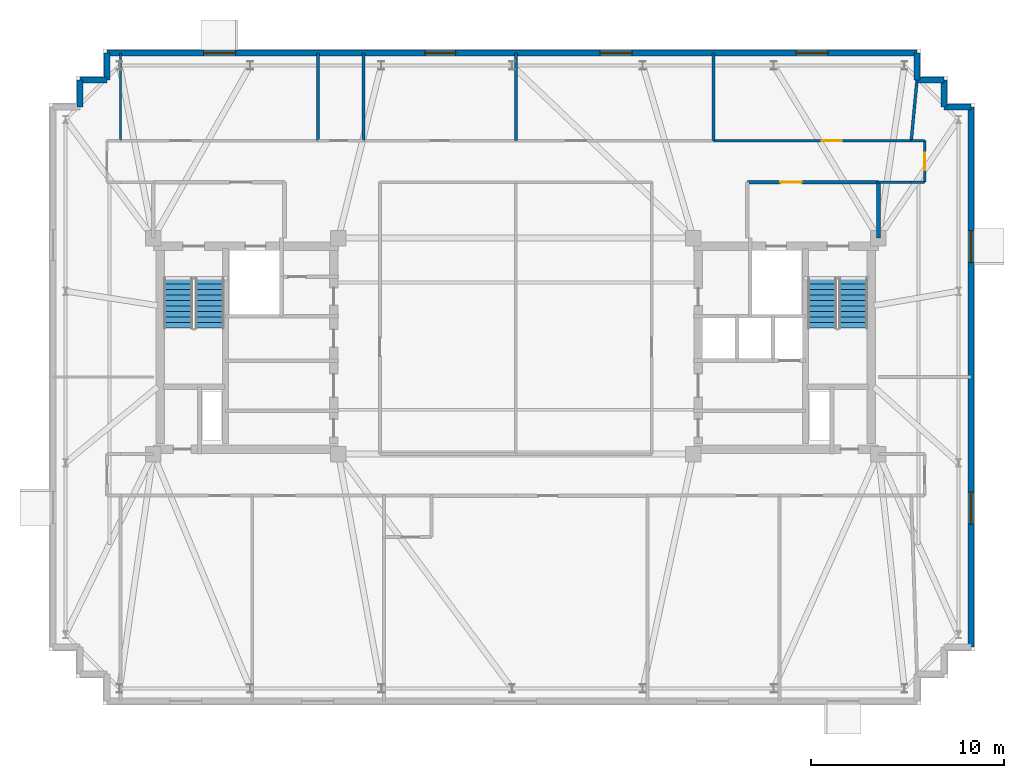
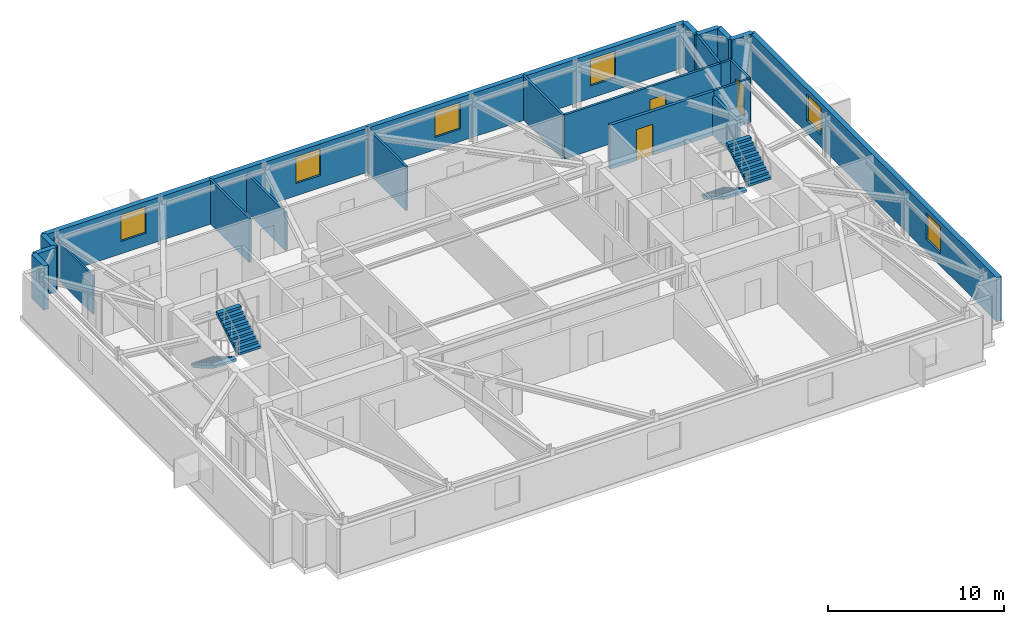
# One storey, part 8 of 10: 22 walls, 6 windows, 4 stair flights, 3 doors, 9 openings, 2 elements without a shape of their own.
"""IFC4 building model written with IfcOpenShell, lengths in metres."""

from ifc_helpers import new_model, si_unit, direction, frame, frame_2d, origin, place, context, subcontext, project, spatial, polyline, rectangle, outline, extrude, material, layer, layer_set, type_object, element, fill, aggregate, save


model = new_model("IFC4")

# Units and contexts
model_context = context("Model", 3, precision=1e-05, world=origin(), true_north=direction((0.0, 1.0)))
body_context = subcontext(model_context, "Body", "Model", "MODEL_VIEW")
ifc_project = project(units=[si_unit("LENGTHUNIT", "METRE"), si_unit("AREAUNIT", "SQUARE_METRE"), si_unit("VOLUMEUNIT", "CUBIC_METRE"), si_unit("PLANEANGLEUNIT", "RADIAN"), si_unit("MASSUNIT", "GRAM", prefix="KILO")], contexts=[model_context])

# Site, building, storey
site_placement = place(None, origin())
site = spatial("IfcSite", under=ifc_project, at=site_placement, CompositionType="ELEMENT")
building_placement = place(site_placement, origin())
building = spatial("IfcBuilding", under=site, at=building_placement, Name="Qobustan Lattice House", CompositionType="ELEMENT")
storey_placement = place(building_placement, frame((0.0, 0.0, 231.64990234375)))
storey = spatial("IfcBuildingStorey", under=building, at=storey_placement, Name="L65", CompositionType="ELEMENT", Elevation=231.64990234375)

# Walls
ifc_material_1 = material(Name="Precast concrete C40/50", Category="concrete")
ifc_layer_1 = layer(ifc_material_1, 0.320068359375)
ifc_layer_set_1 = layer_set([ifc_layer_1], Name="Precast concrete C40/50")
wall_type_1 = type_object("IfcWallType", Name="WAL-EXT-STONE-320", PredefinedType="SOLIDWALL", material=ifc_layer_set_1)
for number, where, z_axis, x_axis, name in (
    (1, (-22.60009765625, 12.39990234375, 0.0), (0.0, 0.0, 1.0), (0.0, 1.0, 0.0), "L65 exterior limestone-clad wall 7"),
    (2, (-22.60009765625, 13.800048828125, 0.0), (0.0, 0.0, 1.0), (1.0, 0.0, 0.0), "L65 exterior limestone-clad wall 8"),
):
    element("IfcWall", number, at=place(storey_placement, frame(where, z_axis=z_axis, x_axis=x_axis)), inside=storey, type_object=wall_type_1, Name=name, PredefinedType="SOLIDWALL", context=body_context, shape_type="SweptSolid", body=[
        extrude(rectangle(XDim=1.400146484375, YDim=0.320068359375, at=frame_2d((0.7001953125, 0.0))), origin(), (0.0, 0.0, 1.0), 3.0400390625),
    ])
wall_1_placement = place(storey_placement, frame((-21.199951171875, 13.800048828125, 0.0), z_axis=(0.0, 0.0, 1.0), x_axis=(0.0, 1.0, 0.0)))
element("IfcWall", 3, at=wall_1_placement, inside=storey, type_object=wall_type_1, Name="L65 exterior limestone-clad wall 9", PredefinedType="SOLIDWALL", context=body_context, shape_type="SweptSolid", body=[
    extrude(rectangle(XDim=1.39990234375, YDim=0.320068359375, at=frame_2d((0.699951171875, 0.0))), origin(), (0.0, 0.0, 1.0), 3.0400390625),
])

# Wall, openings, windows
wall_2_placement = place(storey_placement, frame((-21.199951171875, 15.199951171875, 0.0), z_axis=(0.0, 0.0, 1.0), x_axis=(1.0, 0.0, 0.0)))
wall_2 = element("IfcWall", 4, at=wall_2_placement, inside=storey, type_object=wall_type_1, Name="L65 exterior limestone-clad wall 10", PredefinedType="SOLIDWALL", context=body_context, shape_type="SweptSolid", body=[
    extrude(rectangle(XDim=42.0, YDim=0.320068359375, at=frame_2d((21.0, 0.0))), origin(), (0.0, 0.0, 1.0), 3.0400390625),
])
opening_1_placement = place(wall_2_placement, frame((5.014892578125, 0.0, 0.85009765625)))
opening_1 = element("IfcOpeningElement", 5, at=opening_1_placement, cuts=wall_2, Name="Opening WN-09", PredefinedType="OPENING", context=body_context, shape_type="SweptSolid", body=[
    extrude(rectangle(XDim=1.64990234375, YDim=1.85009765625, at=frame_2d((0.824951171875, 0.925048828125))), frame((0.0, 0.169921875, 0.0), z_axis=(0.0, -1.0, 0.0), x_axis=(1.0, 0.0, 0.0)), (0.0, 0.0, 1.0), 0.340087890625),
])
opening_2_placement = place(wall_2_placement, frame((16.47998046875, 0.0, 0.85009765625)))
opening_2 = element("IfcOpeningElement", 6, at=opening_2_placement, cuts=wall_2, Name="Opening WN-13", PredefinedType="OPENING", context=body_context, shape_type="SweptSolid", body=[
    extrude(rectangle(XDim=1.60009765625, YDim=1.85009765625, at=frame_2d((0.800048828125, 0.925048828125))), frame((0.0, 0.169921875, 0.0), z_axis=(0.0, -1.0, 0.0), x_axis=(1.0, 0.0, 0.0)), (0.0, 0.0, 1.0), 0.340087890625),
])
opening_3_placement = place(wall_2_placement, frame((25.574951171875, 0.0, 0.85009765625)))
opening_3 = element("IfcOpeningElement", 7, at=opening_3_placement, cuts=wall_2, Name="Opening WN-09", PredefinedType="OPENING", context=body_context, shape_type="SweptSolid", body=[
    extrude(rectangle(XDim=1.64990234375, YDim=1.85009765625, at=frame_2d((0.824951171875, 0.925048828125))), frame((0.0, 0.169921875, 0.0), z_axis=(0.0, -1.0, 0.0), x_axis=(1.0, 0.0, 0.0)), (0.0, 0.0, 1.0), 0.340087890625),
])
opening_4_placement = place(wall_2_placement, frame((35.735107421875, 0.0, 0.85009765625)))
opening_4 = element("IfcOpeningElement", 8, at=opening_4_placement, cuts=wall_2, Name="Opening WN-09", PredefinedType="OPENING", context=body_context, shape_type="SweptSolid", body=[
    extrude(rectangle(XDim=1.64990234375, YDim=1.85009765625, at=frame_2d((0.824951171875, 0.925048828125))), frame((0.0, 0.169921875, 0.0), z_axis=(0.0, -1.0, 0.0), x_axis=(1.0, 0.0, 0.0)), (0.0, 0.0, 1.0), 0.340087890625),
])
ifc_material_2 = material(Name="Double-glazed low-E aluminium window", Category="aluminium")
window_type_1 = type_object("IfcWindowType", Name="WIN-BED-1600x1850", PartitioningType="SINGLE_PANEL", PredefinedType="WINDOW", material=ifc_material_2)
window_1_placement = place(opening_2_placement, origin())
window_1 = element("IfcWindow", 9, at=window_1_placement, inside=storey, type_object=window_type_1, Name="L65 Laundry utility room window", OverallHeight=1.85009765625, OverallWidth=1.60009765625, PartitioningType="SINGLE_PANEL", PredefinedType="WINDOW", context=body_context, shape_type="SweptSolid", body=[
    extrude(rectangle(XDim=1.60009765625, YDim=1.85009765625, at=frame_2d((0.800048828125, 0.925048828125))), frame((0.0, 0.030029296875, 0.0), z_axis=(0.0, -1.0, 0.0), x_axis=(1.0, 0.0, 0.0)), (0.0, 0.0, 1.0), 0.06005859375),
])
fill(opening_2, window_1)
ifc_material_3 = material(Name="Double-glazed low-E aluminium window", Category="aluminium")
window_type_2 = type_object("IfcWindowType", Name="WIN-STU-1650x1850", PartitioningType="SINGLE_PANEL", PredefinedType="WINDOW", material=ifc_material_3)
window_2_placement = place(opening_1_placement, origin())
window_2 = element("IfcWindow", 10, at=window_2_placement, inside=storey, type_object=window_type_2, Name="L65 Focus study room N1 window", OverallHeight=1.85009765625, OverallWidth=1.64990234375, PartitioningType="SINGLE_PANEL", PredefinedType="WINDOW", context=body_context, shape_type="SweptSolid", body=[
    extrude(rectangle(XDim=1.64990234375, YDim=1.85009765625, at=frame_2d((0.824951171875, 0.925048828125))), frame((0.0, 0.030029296875, 0.0), z_axis=(0.0, -1.0, 0.0), x_axis=(1.0, 0.0, 0.0)), (0.0, 0.0, 1.0), 0.06005859375),
])
fill(opening_1, window_2)
window_3_placement = place(opening_3_placement, origin())
window_3 = element("IfcWindow", 11, at=window_3_placement, inside=storey, type_object=window_type_2, Name="L65 Focus study room N3 window", OverallHeight=1.85009765625, OverallWidth=1.64990234375, PartitioningType="SINGLE_PANEL", PredefinedType="WINDOW", context=body_context, shape_type="SweptSolid", body=[
    extrude(rectangle(XDim=1.64990234375, YDim=1.85009765625, at=frame_2d((0.824951171875, 0.925048828125))), frame((0.0, 0.030029296875, 0.0), z_axis=(0.0, -1.0, 0.0), x_axis=(1.0, 0.0, 0.0)), (0.0, 0.0, 1.0), 0.06005859375),
])
fill(opening_3, window_3)
window_4_placement = place(opening_4_placement, origin())
window_4 = element("IfcWindow", 12, at=window_4_placement, inside=storey, type_object=window_type_2, Name="L65 Focus study room N4 window", OverallHeight=1.85009765625, OverallWidth=1.64990234375, PartitioningType="SINGLE_PANEL", PredefinedType="WINDOW", context=body_context, shape_type="SweptSolid", body=[
    extrude(rectangle(XDim=1.64990234375, YDim=1.85009765625, at=frame_2d((0.824951171875, 0.925048828125))), frame((0.0, 0.030029296875, 0.0), z_axis=(0.0, -1.0, 0.0), x_axis=(1.0, 0.0, 0.0)), (0.0, 0.0, 1.0), 0.06005859375),
])
fill(opening_4, window_4)

# Walls
for number, where, z_axis, x_axis, name in (
    (13, (20.800048828125, 15.199951171875, 0.0), (0.0, 0.0, 1.0), (0.0, -1.0, 0.0), "L65 exterior limestone-clad wall 11"),
    (14, (20.800048828125, 13.800048828125, 0.0), (0.0, 0.0, 1.0), (1.0, 0.0, 0.0), "L65 exterior limestone-clad wall 12"),
):
    element("IfcWall", number, at=place(storey_placement, frame(where, z_axis=z_axis, x_axis=x_axis)), inside=storey, type_object=wall_type_1, Name=name, PredefinedType="SOLIDWALL", context=body_context, shape_type="SweptSolid", body=[
        extrude(rectangle(XDim=1.39990234375, YDim=0.320068359375, at=frame_2d((0.699951171875, 0.0))), origin(), (0.0, 0.0, 1.0), 3.0400390625),
    ])
for number, where, z_axis, x_axis, name in (
    (15, (22.199951171875, 13.800048828125, 0.0), (0.0, 0.0, 1.0), (0.0, -1.0, 0.0), "L65 exterior limestone-clad wall 13"),
    (16, (22.199951171875, 12.39990234375, 0.0), (0.0, 0.0, 1.0), (1.0, 0.0, 0.0), "L65 exterior limestone-clad wall 14"),
):
    element("IfcWall", number, at=place(storey_placement, frame(where, z_axis=z_axis, x_axis=x_axis)), inside=storey, type_object=wall_type_1, Name=name, PredefinedType="SOLIDWALL", context=body_context, shape_type="SweptSolid", body=[
        extrude(rectangle(XDim=1.400146484375, YDim=0.320068359375, at=frame_2d((0.7001953125, 0.0))), origin(), (0.0, 0.0, 1.0), 3.0400390625),
    ])

# Wall, openings, windows
wall_3_placement = place(storey_placement, frame((23.60009765625, 12.39990234375, 0.0), z_axis=(0.0, 0.0, 1.0), x_axis=(0.0, -1.0, 0.0)))
wall_3 = element("IfcWall", 17, at=wall_3_placement, inside=storey, type_object=wall_type_1, Name="L65 exterior limestone-clad wall 15", PredefinedType="SOLIDWALL", context=body_context, shape_type="SweptSolid", body=[
    extrude(rectangle(XDim=28.0, YDim=0.320068359375, at=frame_2d((14.0, 0.0))), origin(), (0.0, 0.0, 1.0), 3.0400390625),
])
opening_5_placement = place(wall_3_placement, frame((6.4150390625, 0.0, 0.85009765625)))
opening_5 = element("IfcOpeningElement", 18, at=opening_5_placement, cuts=wall_3, Name="Opening WN-09", PredefinedType="OPENING", context=body_context, shape_type="SweptSolid", body=[
    extrude(rectangle(XDim=1.64990234375, YDim=1.85009765625, at=frame_2d((0.824951171875, 0.925048828125))), frame((0.0, 0.169921875, 0.0), z_axis=(0.0, -1.0, 0.0), x_axis=(1.0, 0.0, 0.0)), (0.0, 0.0, 1.0), 0.340087890625),
])
opening_6_placement = place(wall_3_placement, frame((19.97509765625, 0.0, 0.85009765625)))
opening_6 = element("IfcOpeningElement", 19, at=opening_6_placement, cuts=wall_3, Name="Opening WN-09", PredefinedType="OPENING", context=body_context, shape_type="SweptSolid", body=[
    extrude(rectangle(XDim=1.64990234375, YDim=1.85009765625, at=frame_2d((0.824951171875, 0.925048828125))), frame((0.0, 0.169921875, 0.0), z_axis=(0.0, -1.0, 0.0), x_axis=(1.0, 0.0, 0.0)), (0.0, 0.0, 1.0), 0.340087890625),
])
window_5_placement = place(opening_5_placement, origin())
window_5 = element("IfcWindow", 20, at=window_5_placement, inside=storey, type_object=window_type_2, Name="L65 Collaborative tutorial room window", OverallHeight=1.85009765625, OverallWidth=1.64990234375, PartitioningType="SINGLE_PANEL", PredefinedType="WINDOW", context=body_context, shape_type="SweptSolid", body=[
    extrude(rectangle(XDim=1.64990234375, YDim=1.85009765625, at=frame_2d((0.824951171875, 0.925048828125))), frame((0.0, 0.030029296875, 0.0), z_axis=(0.0, -1.0, 0.0), x_axis=(1.0, 0.0, 0.0)), (0.0, 0.0, 1.0), 0.06005859375),
])
fill(opening_5, window_5)
window_6_placement = place(opening_6_placement, origin())
window_6 = element("IfcWindow", 21, at=window_6_placement, inside=storey, type_object=window_type_2, Name="L65 Fellows reading room window", OverallHeight=1.85009765625, OverallWidth=1.64990234375, PartitioningType="SINGLE_PANEL", PredefinedType="WINDOW", context=body_context, shape_type="SweptSolid", body=[
    extrude(rectangle(XDim=1.64990234375, YDim=1.85009765625, at=frame_2d((0.824951171875, 0.925048828125))), frame((0.0, 0.030029296875, 0.0), z_axis=(0.0, -1.0, 0.0), x_axis=(1.0, 0.0, 0.0)), (0.0, 0.0, 1.0), 0.06005859375),
])
fill(opening_6, window_6)

# Wall
ifc_material_4 = material(Name="Lightweight acoustic stud partition", Category="gypsum")
ifc_layer_2 = layer(ifc_material_4, 0.125)
ifc_layer_set_2 = layer_set([ifc_layer_2], Name="Lightweight acoustic stud partition")
wall_type_2 = type_object("IfcWallType", Name="WAL-PART-125", PredefinedType="PARTITIONING", material=ifc_layer_set_2)
wall_4_placement = place(storey_placement, frame((-20.5, 15.199951171875, 0.0), z_axis=(0.0, 0.0, 1.0), x_axis=(0.0, -1.0, 0.0)))
element("IfcWall", 22, at=wall_4_placement, inside=storey, type_object=wall_type_2, Name="L65 interior partition 65", PredefinedType="PARTITIONING", context=body_context, shape_type="SweptSolid", body=[
    extrude(rectangle(XDim=4.550048828125, YDim=0.125, at=frame_2d((2.27490234375, 0.0))), origin(), (0.0, 0.0, 1.0), 2.6650390625),
])

# Wall, opening, door
ifc_material_5 = material(Name="Acoustic twin-stud gypsum partition", Category="gypsum")
ifc_layer_3 = layer(ifc_material_5, 0.14990234375)
ifc_layer_set_3 = layer_set([ifc_layer_3], Name="Acoustic twin-stud gypsum partition")
wall_type_3 = type_object("IfcWallType", Name="WAL-PART-150", PredefinedType="PARTITIONING", material=ifc_layer_set_3)
wall_5_placement = place(storey_placement, frame((21.199951171875, 10.64990234375, 0.0), z_axis=(0.0, 0.0, 1.0), x_axis=(0.0, -1.0, 0.0)))
wall_5 = element("IfcWall", 23, at=wall_5_placement, inside=storey, type_object=wall_type_3, Name="L65 interior partition 37", PredefinedType="PARTITIONING", context=body_context, shape_type="SweptSolid", body=[
    extrude(rectangle(XDim=2.14990234375, YDim=0.14990234375, at=frame_2d((1.074951171875, 0.0))), origin(), (0.0, 0.0, 1.0), 3.0400390625),
])
opening_7_placement = place(wall_5_placement, frame((0.625, 0.0, 0.0)))
opening_7 = element("IfcOpeningElement", 24, at=opening_7_placement, cuts=wall_5, Name="Opening WD-01", PredefinedType="OPENING", context=body_context, shape_type="SweptSolid", body=[
    extrude(rectangle(XDim=0.89990234375, YDim=2.10009765625, at=frame_2d((0.449951171875, 1.050048828125))), frame((0.0, 0.0849609375, 0.0), z_axis=(0.0, -1.0, 0.0), x_axis=(1.0, 0.0, 0.0)), (0.0, 0.0, 1.0), 0.169921875),
])
ifc_material_6 = material(Name="Persian walnut timber and steel frame door", Category="steel")
door_type_1 = type_object("IfcDoorType", Name="DOR-WET-900x2100", OperationType="NOTDEFINED", PredefinedType="DOOR", material=ifc_material_6)
door_1_placement = place(opening_7_placement, origin())
door_1 = element("IfcDoor", 25, at=door_1_placement, inside=storey, type_object=door_type_1, Name="L65 North-east floor corridor to Collaborative tutorial room door", OperationType="SINGLE_SWING_LEFT", OverallHeight=2.10009765625, OverallWidth=0.89990234375, PredefinedType="DOOR", context=body_context, shape_type="SweptSolid", body=[
    extrude(rectangle(XDim=0.89990234375, YDim=2.10009765625, at=frame_2d((0.449951171875, 1.050048828125))), frame((0.0, 0.02490234375, 0.0), z_axis=(0.0, -1.0, 0.0), x_axis=(1.0, 0.0, 0.0)), (0.0, 0.0, 1.0), 0.050048828125),
])
fill(opening_7, door_1)

# Walls
wall_6_placement = place(storey_placement, frame((20.5, 8.5, 0.0), z_axis=(0.0, 0.0, 1.0), x_axis=(-1.0, 0.0, 0.0)))
element("IfcWall", 26, at=wall_6_placement, inside=storey, type_object=wall_type_3, Name="L65 interior partition 38", PredefinedType="PARTITIONING", context=body_context, shape_type="SweptSolid", body=[
    extrude(rectangle(XDim=1.699951171875, YDim=0.14990234375, at=frame_2d((0.85009765625, 0.0))), origin(), (0.0, 0.0, 1.0), 3.0400390625),
])
for number, where, z_axis, x_axis, name in (
    (27, (20.5, 10.64990234375, 0.0), (0.0, 0.0, 1.0), (1.0, 0.0, 0.0), "L65 interior partition 39"),
    (28, (21.199951171875, 8.5, 0.0), (0.0, 0.0, 1.0), (-1.0, 0.0, 0.0), "L65 interior partition 40"),
):
    element("IfcWall", number, at=place(storey_placement, frame(where, z_axis=z_axis, x_axis=x_axis)), inside=storey, type_object=wall_type_3, Name=name, PredefinedType="PARTITIONING", context=body_context, shape_type="SweptSolid", body=[
        extrude(rectangle(XDim=0.699951171875, YDim=0.14990234375, at=frame_2d((0.35009765625, 0.0))), origin(), (0.0, 0.0, 1.0), 3.0400390625),
    ])

# Wall, opening, door
wall_7_placement = place(storey_placement, frame((10.25, 10.64990234375, 0.0), z_axis=(0.0, 0.0, 1.0), x_axis=(1.0, 0.0, 0.0)))
wall_7 = element("IfcWall", 29, at=wall_7_placement, inside=storey, type_object=wall_type_3, Name="L65 interior partition 42", PredefinedType="PARTITIONING", context=body_context, shape_type="SweptSolid", body=[
    extrude(rectangle(XDim=10.25, YDim=0.14990234375, at=frame_2d((5.125, 0.0))), origin(), (0.0, 0.0, 1.0), 3.0400390625),
])
opening_8_placement = place(wall_7_placement, frame((5.60498046875, 0.0, 0.0)))
opening_8 = element("IfcOpeningElement", 30, at=opening_8_placement, cuts=wall_7, Name="Opening ID-02", PredefinedType="OPENING", context=body_context, shape_type="SweptSolid", body=[
    extrude(rectangle(XDim=1.050048828125, YDim=2.14990234375, at=frame_2d((0.52490234375, 1.074951171875))), frame((0.0, 0.0849609375, 0.0), z_axis=(0.0, -1.0, 0.0), x_axis=(1.0, 0.0, 0.0)), (0.0, 0.0, 1.0), 0.169921875),
])
ifc_material_7 = material(Name="Persian walnut timber and steel frame door", Category="steel")
door_type_2 = type_object("IfcDoorType", Name="DOR-STUDY-1050x2150", OperationType="NOTDEFINED", PredefinedType="DOOR", material=ifc_material_7)
door_2_placement = place(opening_8_placement, origin())
door_2 = element("IfcDoor", 31, at=door_2_placement, inside=storey, type_object=door_type_2, Name="L65 North-east floor corridor to Focus study room N4 door", OperationType="SINGLE_SWING_LEFT", OverallHeight=2.14990234375, OverallWidth=1.050048828125, PredefinedType="DOOR", context=body_context, shape_type="SweptSolid", body=[
    extrude(rectangle(XDim=1.050048828125, YDim=2.14990234375, at=frame_2d((0.52490234375, 1.074951171875))), frame((0.0, 0.02490234375, 0.0), z_axis=(0.0, -1.0, 0.0), x_axis=(1.0, 0.0, 0.0)), (0.0, 0.0, 1.0), 0.050048828125),
])
fill(opening_8, door_2)

# Walls
wall_8_placement = place(storey_placement, frame((20.5, 10.64990234375, 0.0), z_axis=(0.0, 0.0, 1.0), x_axis=(0.094820015289, 0.99549443228, 0.0)))
element("IfcWall", 32, at=wall_8_placement, inside=storey, type_object=wall_type_3, Name="L65 interior partition 68", PredefinedType="PARTITIONING", context=body_context, shape_type="SweptSolid", body=[
    extrude(rectangle(XDim=3.164306640625, YDim=0.14990234375, at=frame_2d((1.58203125, 0.0))), origin(), (0.0, 0.0, 1.0), 3.0400390625),
])
for number, where, z_axis, x_axis, name in (
    (33, (0.0, 15.199951171875, 0.0), (0.0, 0.0, 1.0), (0.0, -1.0, 0.0), "L65 interior partition 71"),
    (34, (10.25, 15.199951171875, 0.0), (0.0, 0.0, 1.0), (0.0, -1.0, 0.0), "L65 interior partition 72"),
):
    element("IfcWall", number, at=place(storey_placement, frame(where, z_axis=z_axis, x_axis=x_axis)), inside=storey, type_object=wall_type_3, Name=name, PredefinedType="PARTITIONING", context=body_context, shape_type="SweptSolid", body=[
        extrude(rectangle(XDim=4.550048828125, YDim=0.14990234375, at=frame_2d((2.27490234375, 0.0))), origin(), (0.0, 0.0, 1.0), 3.0400390625),
    ])

# Wall, opening, door
ifc_material_8 = material(Name="Two-hour gypsum fireboard acoustic partition", Category="gypsum")
ifc_layer_4 = layer(ifc_material_8, 0.199951171875)
ifc_layer_set_4 = layer_set([ifc_layer_4], Name="Two-hour gypsum fireboard acoustic partition")
wall_type_4 = type_object("IfcWallType", Name="WAL-PROT-200", PredefinedType="PARTITIONING", material=ifc_layer_set_4)
wall_9_placement = place(storey_placement, frame((18.800048828125, 8.5, 0.0), z_axis=(0.0, 0.0, 1.0), x_axis=(-1.0, 0.0, 0.0)))
wall_9 = element("IfcWall", 35, at=wall_9_placement, inside=storey, type_object=wall_type_4, Name="L65 interior partition 17", PredefinedType="PARTITIONING", context=body_context, shape_type="SweptSolid", body=[
    extrude(rectangle(XDim=6.800048828125, YDim=0.199951171875, at=frame_2d((3.39990234375, 0.0))), origin(), (0.0, 0.0, 1.0), 3.0400390625),
])
opening_9_placement = place(wall_9_placement, frame((3.985107421875, 0.0, 0.0)))
opening_9 = element("IfcOpeningElement", 36, at=opening_9_placement, cuts=wall_9, Name="Opening SD-01", PredefinedType="OPENING", context=body_context, shape_type="SweptSolid", body=[
    extrude(rectangle(XDim=1.10009765625, YDim=2.14990234375, at=frame_2d((0.550048828125, 1.074951171875))), frame((0.0, 0.10986328125, 0.0), z_axis=(0.0, -1.0, 0.0), x_axis=(1.0, 0.0, 0.0)), (0.0, 0.0, 1.0), 0.219970703125),
])
ifc_material_9 = material(Name="Persian walnut timber and steel frame door", Category="steel")
door_type_3 = type_object("IfcDoorType", Name="DOR-STAIR-FD-1100x2150", OperationType="NOTDEFINED", PredefinedType="DOOR", material=ifc_material_9)
door_3_placement = place(opening_9_placement, origin())
door_3 = element("IfcDoor", 37, at=door_3_placement, inside=storey, type_object=door_type_3, Name="L65 East firefighting lift lobby to North-east floor corridor door", OperationType="SINGLE_SWING_LEFT", OverallHeight=2.14990234375, OverallWidth=1.10009765625, PredefinedType="DOOR", context=body_context, shape_type="SweptSolid", body=[
    extrude(rectangle(XDim=1.10009765625, YDim=2.14990234375, at=frame_2d((0.550048828125, 1.074951171875))), frame((0.0, 0.02490234375, 0.0), z_axis=(0.0, -1.0, 0.0), x_axis=(1.0, 0.0, 0.0)), (0.0, 0.0, 1.0), 0.050048828125),
])
fill(opening_9, door_3)

# Walls
wall_10_placement = place(storey_placement, frame((18.800048828125, 5.60009765625, 0.0), z_axis=(0.0, 0.0, 1.0), x_axis=(0.0, 1.0, 0.0)))
element("IfcWall", 38, at=wall_10_placement, inside=storey, type_object=wall_type_4, Name="L65 interior partition 19", PredefinedType="PARTITIONING", context=body_context, shape_type="SweptSolid", body=[
    extrude(rectangle(XDim=2.89990234375, YDim=0.199951171875, at=frame_2d((1.449951171875, 0.0))), origin(), (0.0, 0.0, 1.0), 2.6650390625),
])
ifc_material_10 = material(Name="Moisture-resistant acoustic plumbing wall", Category="gypsum")
ifc_layer_5 = layer(ifc_material_10, 0.14990234375)
ifc_layer_set_5 = layer_set([ifc_layer_5], Name="Moisture-resistant acoustic plumbing wall")
wall_type_5 = type_object("IfcWallType", Name="WAL-WET-150", PredefinedType="PLUMBINGWALL", material=ifc_layer_set_5)
wall_11_placement = place(storey_placement, frame((-10.25, 15.199951171875, 0.0), z_axis=(0.0, 0.0, 1.0), x_axis=(0.0, -1.0, 0.0)))
element("IfcWall", 39, at=wall_11_placement, inside=storey, type_object=wall_type_5, Name="L65 interior partition 69", PredefinedType="PLUMBINGWALL", context=body_context, shape_type="SweptSolid", body=[
    extrude(rectangle(XDim=4.550048828125, YDim=0.14990234375, at=frame_2d((2.27490234375, 0.0))), origin(), (0.0, 0.0, 1.0), 3.0400390625),
])
wall_12_placement = place(storey_placement, frame((-7.89990234375, 15.199951171875, 0.0), z_axis=(0.0, 0.0, 1.0), x_axis=(0.0, -1.0, 0.0)))
element("IfcWall", 40, at=wall_12_placement, inside=storey, type_object=wall_type_5, Name="L65 interior partition 70", PredefinedType="PLUMBINGWALL", context=body_context, shape_type="SweptSolid", body=[
    extrude(rectangle(XDim=4.550048828125, YDim=0.14990234375, at=frame_2d((2.27490234375, 0.0))), origin(), (0.0, 0.0, 1.0), 2.6650390625),
])

# Stair, stair flights
ifc_material_11 = material(Name="Concrete C40/50", Category="concrete")
stair_type = type_object("IfcStairType", Name="STR-CORE-DOGLEG", PredefinedType="HALF_TURN_STAIR", material=ifc_material_11)
stair_1_placement = place(storey_placement, origin())
stair_1 = element("IfcStair", 41, at=stair_1_placement, inside=storey, type_object=stair_type, Name="L65 West protected exit stair ST-W1", PredefinedType="HALF_TURN_STAIR")
ifc_material_12 = material(Name="Concrete C40/50", Category="concrete")
stair_flight_type = type_object("IfcStairFlightType", Name="SFL-RC-1500", PredefinedType="STRAIGHT", material=ifc_material_12)
stair_flight_1_placement = place(storey_placement, frame((-17.5, 3.5, 0.0), z_axis=(0.0, 0.0, 1.0), x_axis=(0.0, -1.0, 0.0)))
stair_flight_1 = element("IfcStairFlight", 42, at=stair_flight_1_placement, type_object=stair_flight_type, Name="ST-W1 flight 1", NumberOfRisers=10, NumberOfTreads=9, PredefinedType="STRAIGHT", RiserHeight=0.1675, TreadLength=0.285, context=body_context, shape_type="SweptSolid", body=[
    extrude(outline(polyline([(0.0, 0.0), (0.0, 0.16748046875), (0.284912109375, 0.16748046875), (0.284912109375, 0.3349609375), (0.570068359375, 0.3349609375), (0.570068359375, 0.50244140625), (0.85498046875, 0.50244140625), (0.85498046875, 0.669921875), (1.139892578125, 0.669921875), (1.139892578125, 0.83740234375), (1.425048828125, 0.83740234375), (1.425048828125, 1.0048828125), (1.7099609375, 1.0048828125), (1.7099609375, 1.172607421875), (1.9951171875, 1.172607421875), (1.9951171875, 1.340087890625), (2.280029296875, 1.340087890625), (2.280029296875, 1.507568359375), (2.56494140625, 1.507568359375), (2.56494140625, 1.675048828125), (2.56494140625, 1.333740234375), (0.2958984375, 0.0), (0.0, 0.0)])), frame((0.0, 0.75, 0.0), z_axis=(0.0, -1.0, 0.0), x_axis=(1.0, 0.0, 0.0)), (0.0, 0.0, 1.0), 1.5),
])
stair_flight_2_placement = place(storey_placement, frame((-15.8798828125, 0.93505859375, 1.675048828125), z_axis=(0.0, 0.0, 1.0), x_axis=(0.0, 1.0, 0.0)))
stair_flight_2 = element("IfcStairFlight", 43, at=stair_flight_2_placement, type_object=stair_flight_type, Name="ST-W1 flight 2", NumberOfRisers=10, NumberOfTreads=9, PredefinedType="STRAIGHT", RiserHeight=0.1675, TreadLength=0.285, context=body_context, shape_type="SweptSolid", body=[
    extrude(outline(polyline([(0.0, 0.0), (0.0, 0.16748046875), (0.284912109375, 0.16748046875), (0.284912109375, 0.3349609375), (0.570068359375, 0.3349609375), (0.570068359375, 0.50244140625), (0.85498046875, 0.50244140625), (0.85498046875, 0.669921875), (1.139892578125, 0.669921875), (1.139892578125, 0.83740234375), (1.425048828125, 0.83740234375), (1.425048828125, 1.0048828125), (1.7099609375, 1.0048828125), (1.7099609375, 1.172607421875), (1.9951171875, 1.172607421875), (1.9951171875, 1.340087890625), (2.280029296875, 1.340087890625), (2.280029296875, 1.507568359375), (2.56494140625, 1.507568359375), (2.56494140625, 1.675048828125), (2.56494140625, 1.333740234375), (0.2958984375, 0.0), (0.0, 0.0)])), frame((0.0, 0.75, 0.0), z_axis=(0.0, -1.0, 0.0), x_axis=(1.0, 0.0, 0.0)), (0.0, 0.0, 1.0), 1.5),
])
aggregate(stair_1, [stair_flight_1, stair_flight_2])

stair_2_placement = place(storey_placement, origin())
stair_2 = element("IfcStair", 44, at=stair_2_placement, inside=storey, type_object=stair_type, Name="L65 East protected exit stair ST-E1", PredefinedType="HALF_TURN_STAIR")
stair_flight_3_placement = place(storey_placement, frame((15.8798828125, 3.5, 0.0), z_axis=(0.0, 0.0, 1.0), x_axis=(0.0, -1.0, 0.0)))
stair_flight_3 = element("IfcStairFlight", 45, at=stair_flight_3_placement, type_object=stair_flight_type, Name="ST-E1 flight 1", NumberOfRisers=10, NumberOfTreads=9, PredefinedType="STRAIGHT", RiserHeight=0.1675, TreadLength=0.285, context=body_context, shape_type="SweptSolid", body=[
    extrude(outline(polyline([(0.0, 0.0), (0.0, 0.16748046875), (0.284912109375, 0.16748046875), (0.284912109375, 0.3349609375), (0.570068359375, 0.3349609375), (0.570068359375, 0.50244140625), (0.85498046875, 0.50244140625), (0.85498046875, 0.669921875), (1.139892578125, 0.669921875), (1.139892578125, 0.83740234375), (1.425048828125, 0.83740234375), (1.425048828125, 1.0048828125), (1.7099609375, 1.0048828125), (1.7099609375, 1.172607421875), (1.9951171875, 1.172607421875), (1.9951171875, 1.340087890625), (2.280029296875, 1.340087890625), (2.280029296875, 1.507568359375), (2.56494140625, 1.507568359375), (2.56494140625, 1.675048828125), (2.56494140625, 1.333740234375), (0.2958984375, 0.0), (0.0, 0.0)])), frame((0.0, 0.75, 0.0), z_axis=(0.0, -1.0, 0.0), x_axis=(1.0, 0.0, 0.0)), (0.0, 0.0, 1.0), 1.5),
])
stair_flight_4_placement = place(storey_placement, frame((17.5, 0.93505859375, 1.675048828125), z_axis=(0.0, 0.0, 1.0), x_axis=(0.0, 1.0, 0.0)))
stair_flight_4 = element("IfcStairFlight", 46, at=stair_flight_4_placement, type_object=stair_flight_type, Name="ST-E1 flight 2", NumberOfRisers=10, NumberOfTreads=9, PredefinedType="STRAIGHT", RiserHeight=0.1675, TreadLength=0.285, context=body_context, shape_type="SweptSolid", body=[
    extrude(outline(polyline([(0.0, 0.0), (0.0, 0.16748046875), (0.284912109375, 0.16748046875), (0.284912109375, 0.3349609375), (0.570068359375, 0.3349609375), (0.570068359375, 0.50244140625), (0.85498046875, 0.50244140625), (0.85498046875, 0.669921875), (1.139892578125, 0.669921875), (1.139892578125, 0.83740234375), (1.425048828125, 0.83740234375), (1.425048828125, 1.0048828125), (1.7099609375, 1.0048828125), (1.7099609375, 1.172607421875), (1.9951171875, 1.172607421875), (1.9951171875, 1.340087890625), (2.280029296875, 1.340087890625), (2.280029296875, 1.507568359375), (2.56494140625, 1.507568359375), (2.56494140625, 1.675048828125), (2.56494140625, 1.333740234375), (0.2958984375, 0.0), (0.0, 0.0)])), frame((0.0, 0.75, 0.0), z_axis=(0.0, -1.0, 0.0), x_axis=(1.0, 0.0, 0.0)), (0.0, 0.0, 1.0), 1.5),
])
aggregate(stair_2, [stair_flight_3, stair_flight_4])

save(model, "model.ifc")
